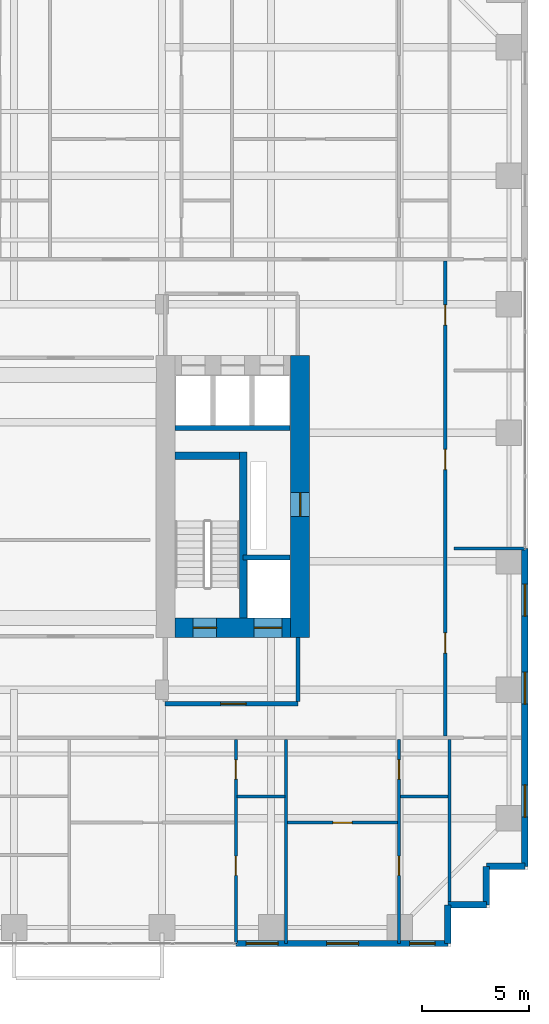
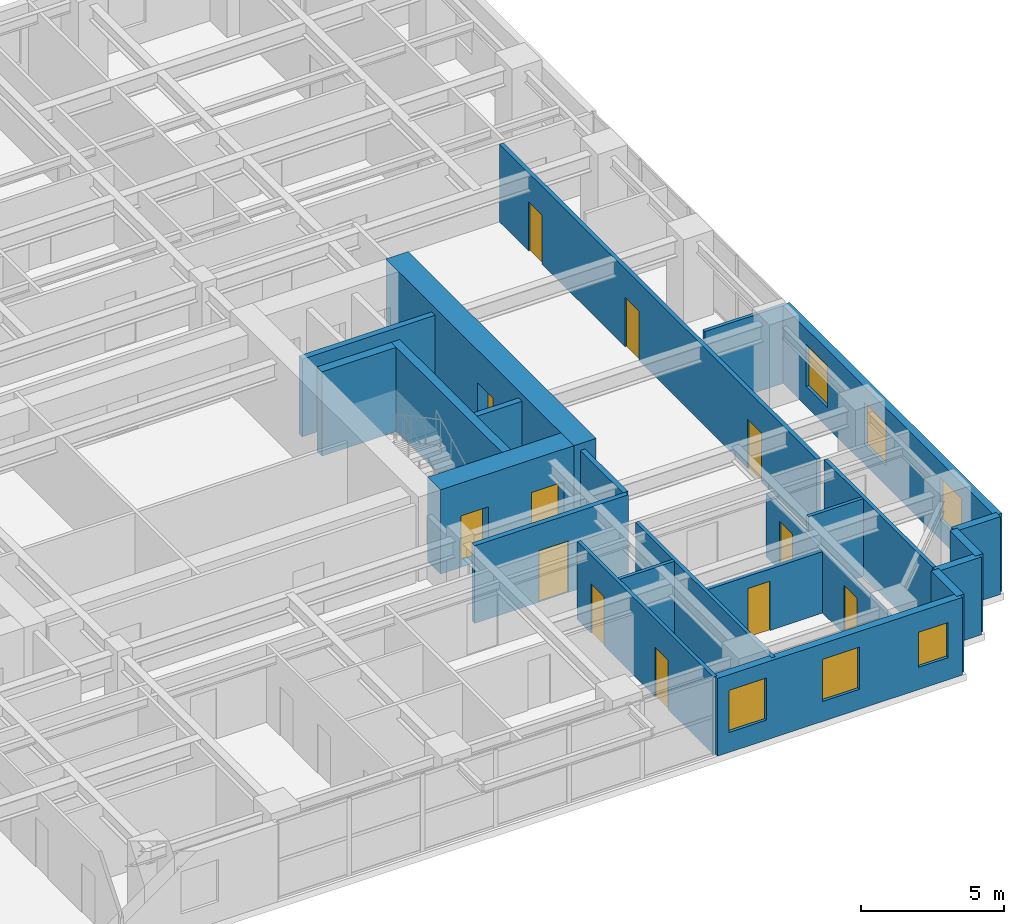
# One storey, part 21 of 24: 23 walls, 12 doors, 6 windows, 18 openings.
"""IFC4 building model written with IfcOpenShell, lengths in metres."""

from ifc_helpers import new_model, si_unit, direction, frame, frame_2d, origin, place, context, subcontext, project, spatial, rectangle, extrude, source, transform, mapped, material, layer, layer_set, type_object, element, fill, save


model = new_model("IFC4")

# Units and contexts
model_context = context("Model", 3, precision=1e-05, world=origin(), true_north=direction((0.0, 1.0)))
body_context = subcontext(model_context, "Body", "Model", "MODEL_VIEW")
ifc_project = project(units=[si_unit("LENGTHUNIT", "METRE"), si_unit("AREAUNIT", "SQUARE_METRE"), si_unit("VOLUMEUNIT", "CUBIC_METRE"), si_unit("PLANEANGLEUNIT", "RADIAN"), si_unit("MASSUNIT", "GRAM", prefix="KILO")], contexts=[model_context])

# Site, building, storey
site_placement = place(None, origin())
site = spatial("IfcSite", under=ifc_project, at=site_placement, CompositionType="ELEMENT")
building_placement = place(site_placement, origin())
building = spatial("IfcBuilding", under=site, at=building_placement, Name="Khoralis Quay Care Tower", CompositionType="ELEMENT")
storey_placement = place(building_placement, frame((0.0, 0.0, 54.89990234375)))
storey = spatial("IfcBuildingStorey", under=building, at=storey_placement, Name="L14", CompositionType="ELEMENT", Elevation=54.89990234375)

# Wall, opening, door
ifc_material_1 = material(Name="Gypsum plasterboard on acoustic metal stud")
ifc_layer_1 = layer(ifc_material_1, 0.199951171875)
ifc_layer_set_1 = layer_set([ifc_layer_1], Name="Gypsum plasterboard on acoustic metal stud")
wall_type_1 = type_object("IfcWallType", Name="WL-COMP-200", PredefinedType="PARTITIONING", material=ifc_layer_set_1)
wall_1_placement = place(storey_placement, frame((31.050048828125, 11.35009765625, 0.0), z_axis=(0.0, 0.0, 1.0), x_axis=(1.0, 0.0, 0.0)))
wall_1 = element("IfcWall", 1, at=wall_1_placement, inside=storey, type_object=wall_type_1, Name="L14 East Firefighting Lobby South Wall", PredefinedType="PARTITIONING", context=body_context, shape_type="SweptSolid", body=[
    extrude(rectangle(XDim=6.199951171875, YDim=0.199951171875, at=frame_2d((3.10009765625, 0.0))), origin(), (0.0, 0.0, 1.0), 3.320068359375),
])
opening_1_placement = place(wall_1_placement, frame((2.585693359375, 0.0, 0.0)))
opening_1 = element("IfcOpeningElement", 2, at=opening_1_placement, cuts=wall_1, Name="Opening FD1", PredefinedType="OPENING", context=body_context, shape_type="SweptSolid", body=[
    extrude(rectangle(XDim=1.199951171875, YDim=2.199951171875, at=frame_2d((0.60009765625, 1.10009765625))), frame((0.0, 0.10986328125, 0.0), z_axis=(0.0, -1.0, 0.0), x_axis=(1.0, 0.0, 0.0)), (0.0, 0.0, 1.0), 0.219970703125),
])
ifc_material_2 = material(Name="Fire-rated painted steel", Category="steel")
door_type_1 = type_object("IfcDoorType", Name="DR-FFL-1200X2200", OperationType="NOTDEFINED", PredefinedType="DOOR", material=ifc_material_2)
shared_shape_1 = source(origin(), body_context, "Body", "SweptSolid", [
    extrude(rectangle(XDim=1.199951171875, YDim=2.199951171875, at=frame_2d((0.60009765625, 1.10009765625))), frame((0.0, 0.02490234375, 0.0), z_axis=(0.0, -1.0, 0.0), x_axis=(1.0, 0.0, 0.0)), (0.0, 0.0, 1.0), 0.050048828125),
])
door_1_placement = place(opening_1_placement, origin())
door_1 = element("IfcDoor", 3, at=door_1_placement, inside=storey, type_object=door_type_1, Name="L14 East Firefighting Lobby Fire Door", OperationType="SINGLE_SWING_LEFT", OverallHeight=2.199951171875, OverallWidth=1.199951171875, PredefinedType="DOOR", context=body_context, shape_type="MappedRepresentation", body=[
    mapped(shared_shape_1, transform((0.0, 0.0, 0.0), scale=1.0)),
])
fill(opening_1, door_1)

# Wall
wall_2_placement = place(storey_placement, frame((37.25, 11.445068359375, 0.0), z_axis=(0.0, 0.0, 1.0), x_axis=(0.0, 1.0, 0.0)))
element("IfcWall", 4, at=wall_2_placement, inside=storey, type_object=wall_type_1, Name="L14 East Firefighting Lobby East Wall", PredefinedType="PARTITIONING", context=body_context, shape_type="SweptSolid", body=[
    extrude(rectangle(XDim=2.98486328125, YDim=0.199951171875, at=frame_2d((1.492431640625, 0.0))), origin(), (0.0, 0.0, 1.0), 3.320068359375),
])

# Wall, opening, door
ifc_material_3 = material(Name="Concrete C80/95", Category="concrete")
ifc_layer_2 = layer(ifc_material_3, 0.89990234375)
ifc_layer_set_2 = layer_set([ifc_layer_2], Name="Concrete C80/95")
wall_type_2 = type_object("IfcWallType", Name="WL-CORE-900", PredefinedType="SHEAR", material=ifc_layer_set_2)
wall_3_placement = place(storey_placement, frame((37.35009765625, 14.449951171875, 0.0), z_axis=(0.0, 0.0, 1.0), x_axis=(0.0, 1.0, 0.0)))
wall_3 = element("IfcWall", 5, at=wall_3_placement, inside=storey, type_object=wall_type_2, Name="L14 ECORE East Shear Wall", PredefinedType="SHEAR", context=body_context, shape_type="SweptSolid", body=[
    extrude(rectangle(XDim=13.150146484375, YDim=0.89990234375, at=frame_2d((6.5751953125, 0.0))), origin(), (0.0, 0.0, 1.0), 3.60009765625),
])
opening_2_placement = place(wall_3_placement, frame((5.64990234375, 0.0, 0.0)))
opening_2 = element("IfcOpeningElement", 6, at=opening_2_placement, cuts=wall_3, Name="Opening SD1", PredefinedType="OPENING", context=body_context, shape_type="SweptSolid", body=[
    extrude(rectangle(XDim=1.10009765625, YDim=2.199951171875, at=frame_2d((0.550048828125, 1.10009765625))), frame((0.0, 0.4599609375, 0.0), z_axis=(0.0, -1.0, 0.0), x_axis=(1.0, 0.0, 0.0)), (0.0, 0.0, 1.0), 0.919921875),
])
door_type_2 = type_object("IfcDoorType", Name="DR-STAIR-1100X2200", OperationType="NOTDEFINED", PredefinedType="DOOR", material=ifc_material_2)
shared_shape_2 = source(origin(), body_context, "Body", "SweptSolid", [
    extrude(rectangle(XDim=1.10009765625, YDim=2.199951171875, at=frame_2d((0.550048828125, 1.10009765625))), frame((0.0, 0.02490234375, 0.0), z_axis=(0.0, -1.0, 0.0), x_axis=(1.0, 0.0, 0.0)), (0.0, 0.0, 1.0), 0.050048828125),
])
door_2_placement = place(opening_2_placement, frame((1.10009765625, 0.0, 0.0), z_axis=(0.0, 0.0, 1.0), x_axis=(-1.0, 0.0, 0.0)))
door_2 = element("IfcDoor", 7, at=door_2_placement, inside=storey, type_object=door_type_2, Name="L14 East MEP Riser Door", OperationType="SINGLE_SWING_LEFT", OverallHeight=2.199951171875, OverallWidth=1.10009765625, PredefinedType="DOOR", context=body_context, shape_type="MappedRepresentation", body=[
    mapped(shared_shape_2, transform((0.0, 0.0, 0.0), scale=1.0)),
])
fill(opening_2, door_2)

# Wall, openings, doors
wall_4_placement = place(storey_placement, frame((31.52001953125, 14.89990234375, 0.0), z_axis=(0.0, 0.0, 1.0), x_axis=(1.0, 0.0, 0.0)))
wall_4 = element("IfcWall", 8, at=wall_4_placement, inside=storey, type_object=wall_type_2, Name="L14 ECORE South Shear Wall", PredefinedType="SHEAR", context=body_context, shape_type="SweptSolid", body=[
    extrude(rectangle(XDim=5.3798828125, YDim=0.89990234375, at=frame_2d((2.68994140625, 0.0))), origin(), (0.0, 0.0, 1.0), 3.60009765625),
])
opening_3_placement = place(wall_4_placement, frame((0.830078125, 0.0, 0.0)))
opening_3 = element("IfcOpeningElement", 9, at=opening_3_placement, cuts=wall_4, Name="Opening SD1", PredefinedType="OPENING", context=body_context, shape_type="SweptSolid", body=[
    extrude(rectangle(XDim=1.10009765625, YDim=2.199951171875, at=frame_2d((0.550048828125, 1.10009765625))), frame((0.0, 0.4599609375, 0.0), z_axis=(0.0, -1.0, 0.0), x_axis=(1.0, 0.0, 0.0)), (0.0, 0.0, 1.0), 0.919921875),
])
opening_4_placement = place(wall_4_placement, frame((3.679931640625, 0.0, 0.0)))
opening_4 = element("IfcOpeningElement", 10, at=opening_4_placement, cuts=wall_4, Name="Opening LD2", PredefinedType="OPENING", context=body_context, shape_type="SweptSolid", body=[
    extrude(rectangle(XDim=1.300048828125, YDim=2.199951171875, at=frame_2d((0.64990234375, 1.10009765625))), frame((0.0, 0.4599609375, 0.0), z_axis=(0.0, -1.0, 0.0), x_axis=(1.0, 0.0, 0.0)), (0.0, 0.0, 1.0), 0.919921875),
])
door_3_placement = place(opening_3_placement, origin())
door_3 = element("IfcDoor", 11, at=door_3_placement, inside=storey, type_object=door_type_2, Name="L14 Stair ST-T2 Fire Door", OperationType="SINGLE_SWING_LEFT", OverallHeight=2.199951171875, OverallWidth=1.10009765625, PredefinedType="DOOR", context=body_context, shape_type="MappedRepresentation", body=[
    mapped(shared_shape_2, transform((0.0, 0.0, 0.0), scale=1.0)),
])
fill(opening_3, door_3)
ifc_material_4 = material(Name="Brushed stainless steel", Category="steel")
door_type_3 = type_object("IfcDoorType", Name="DR-LIFT-1300X2200", OperationType="SLIDING_TO_RIGHT", PredefinedType="DOOR", material=ifc_material_4)
shared_shape_3 = source(origin(), body_context, "Body", "SweptSolid", [
    extrude(rectangle(XDim=1.300048828125, YDim=2.199951171875, at=frame_2d((0.64990234375, 1.10009765625))), frame((0.0, 0.02490234375, 0.0), z_axis=(0.0, -1.0, 0.0), x_axis=(1.0, 0.0, 0.0)), (0.0, 0.0, 1.0), 0.050048828125),
])
door_4_placement = place(opening_4_placement, origin())
door_4 = element("IfcDoor", 12, at=door_4_placement, inside=storey, type_object=door_type_3, Name="L14 Firefighting Lift FFL-2 Landing Door", OperationType="SLIDING_TO_RIGHT", OverallHeight=2.199951171875, OverallWidth=1.300048828125, PredefinedType="DOOR", context=body_context, shape_type="MappedRepresentation", body=[
    mapped(shared_shape_3, transform((0.0, 0.0, 0.0), scale=1.0)),
])
fill(opening_4, door_4)

ifc_layer_3 = layer(ifc_material_1, 0.1650390625)
ifc_layer_set_3 = layer_set([ifc_layer_3], Name="Gypsum plasterboard on acoustic metal stud")
wall_type_3 = type_object("IfcWallType", Name="WL-CORR-165", PredefinedType="PARTITIONING", material=ifc_layer_set_3)
wall_5_placement = place(storey_placement, frame((44.1201171875, 9.83740234375, 0.0), z_axis=(0.0, 0.0, 1.0), x_axis=(0.0, 1.0, 0.0)))
wall_5 = element("IfcWall", 13, at=wall_5_placement, inside=storey, type_object=wall_type_3, Name="L14 East Loop Corridor Wall", PredefinedType="PARTITIONING", context=body_context, shape_type="SweptSolid", body=[
    extrude(rectangle(XDim=22.18505859375, YDim=0.1650390625, at=frame_2d((11.092529296875, 0.0))), origin(), (0.0, 0.0, 1.0), 3.320068359375),
])
opening_5_placement = place(wall_5_placement, frame((3.867431640625, 0.0, 0.0)))
opening_5 = element("IfcOpeningElement", 14, at=opening_5_placement, cuts=wall_5, Name="Opening ID1", PredefinedType="OPENING", context=body_context, shape_type="SweptSolid", body=[
    extrude(rectangle(XDim=0.949951171875, YDim=2.10009765625, at=frame_2d((0.47509765625, 1.050048828125))), frame((0.0, 0.092529296875, 0.0), z_axis=(0.0, -1.0, 0.0), x_axis=(1.0, 0.0, 0.0)), (0.0, 0.0, 1.0), 0.18505859375),
])
opening_6_placement = place(wall_5_placement, frame((12.4375, 0.0, 0.0)))
opening_6 = element("IfcOpeningElement", 15, at=opening_6_placement, cuts=wall_5, Name="Opening ID1", PredefinedType="OPENING", context=body_context, shape_type="SweptSolid", body=[
    extrude(rectangle(XDim=0.949951171875, YDim=2.10009765625, at=frame_2d((0.47509765625, 1.050048828125))), frame((0.0, 0.092529296875, 0.0), z_axis=(0.0, -1.0, 0.0), x_axis=(1.0, 0.0, 0.0)), (0.0, 0.0, 1.0), 0.18505859375),
])
opening_7_placement = place(wall_5_placement, frame((19.1875, 0.0, 0.0)))
opening_7 = element("IfcOpeningElement", 16, at=opening_7_placement, cuts=wall_5, Name="Opening ID1", PredefinedType="OPENING", context=body_context, shape_type="SweptSolid", body=[
    extrude(rectangle(XDim=0.949951171875, YDim=2.10009765625, at=frame_2d((0.47509765625, 1.050048828125))), frame((0.0, 0.092529296875, 0.0), z_axis=(0.0, -1.0, 0.0), x_axis=(1.0, 0.0, 0.0)), (0.0, 0.0, 1.0), 0.18505859375),
])
ifc_material_5 = material(Name="Acoustic hardwood timber", Category="wood")
door_type_4 = type_object("IfcDoorType", Name="DR-ROOM-950X2100", OperationType="NOTDEFINED", PredefinedType="DOOR", material=ifc_material_5)
shared_shape_4 = source(origin(), body_context, "Body", "SweptSolid", [
    extrude(rectangle(XDim=0.949951171875, YDim=2.10009765625, at=frame_2d((0.47509765625, 1.050048828125))), frame((0.0, 0.02490234375, 0.0), z_axis=(0.0, -1.0, 0.0), x_axis=(1.0, 0.0, 0.0)), (0.0, 0.0, 1.0), 0.050048828125),
])
door_5_placement = place(opening_5_placement, frame((0.949951171875, 0.0, 0.0), z_axis=(0.0, 0.0, 1.0), x_axis=(-1.0, 0.0, 0.0)))
door_5 = element("IfcDoor", 17, at=door_5_placement, inside=storey, type_object=door_type_4, Name="L14 Therapy Consultation Room Door", OperationType="SINGLE_SWING_LEFT", OverallHeight=2.10009765625, OverallWidth=0.949951171875, PredefinedType="DOOR", context=body_context, shape_type="MappedRepresentation", body=[
    mapped(shared_shape_4, transform((0.0, 0.0, 0.0), scale=1.0)),
])
fill(opening_5, door_5)
door_6_placement = place(opening_6_placement, frame((0.949951171875, 0.0, 0.0), z_axis=(0.0, 0.0, 1.0), x_axis=(-1.0, 0.0, 0.0)))
door_6 = element("IfcDoor", 18, at=door_6_placement, inside=storey, type_object=door_type_4, Name="L14 Assisted Activity Lounge Door", OperationType="SINGLE_SWING_RIGHT", OverallHeight=2.10009765625, OverallWidth=0.949951171875, PredefinedType="DOOR", context=body_context, shape_type="MappedRepresentation", body=[
    mapped(shared_shape_4, transform((0.0, 0.0, 0.0), scale=1.0)),
])
fill(opening_6, door_6)
door_7_placement = place(opening_7_placement, frame((0.949951171875, 0.0, 0.0), z_axis=(0.0, 0.0, 1.0), x_axis=(-1.0, 0.0, 0.0)))
door_7 = element("IfcDoor", 19, at=door_7_placement, inside=storey, type_object=door_type_4, Name="L14 Nurse Charting Office Door", OperationType="SINGLE_SWING_LEFT", OverallHeight=2.10009765625, OverallWidth=0.949951171875, PredefinedType="DOOR", context=body_context, shape_type="MappedRepresentation", body=[
    mapped(shared_shape_4, transform((0.0, 0.0, 0.0), scale=1.0)),
])
fill(opening_7, door_7)

# Wall, openings, windows
ifc_material_6 = material(Name="Precast concrete C45/55", Category="concrete")
ifc_layer_4 = layer(ifc_material_6, 0.300048828125)
ifc_layer_set_4 = layer_set([ifc_layer_4], Name="Precast concrete C45/55")
wall_type_4 = type_object("IfcWallType", Name="WL-EXT-REF-300", PredefinedType="SOLIDWALL", material=ifc_layer_set_4)
wall_6_placement = place(storey_placement, frame((34.35009765625, 0.14990234375, 0.0), z_axis=(0.0, 0.0, 1.0), x_axis=(1.0, 0.0, 0.0)))
wall_6 = element("IfcWall", 20, at=wall_6_placement, inside=storey, type_object=wall_type_4, Name="L14 External Facade Wall WL-EXT-L14-P1-E0B", PredefinedType="SOLIDWALL", context=body_context, shape_type="SweptSolid", body=[
    extrude(rectangle(XDim=9.89990234375, YDim=0.300048828125, at=frame_2d((4.949951171875, 0.0))), origin(), (0.0, 0.0, 1.0), 3.320068359375),
])
opening_8_placement = place(wall_6_placement, frame((0.47509765625, 0.0, 0.85009765625)))
opening_8 = element("IfcOpeningElement", 21, at=opening_8_placement, cuts=wall_6, Name="Opening W3", PredefinedType="OPENING", context=body_context, shape_type="SweptSolid", body=[
    extrude(rectangle(XDim=1.5, YDim=1.800048828125, at=frame_2d((0.75, 0.89990234375))), frame((0.0, 0.16015625, 0.0), z_axis=(0.0, -1.0, 0.0), x_axis=(1.0, 0.0, 0.0)), (0.0, 0.0, 1.0), 0.320068359375),
])
opening_9_placement = place(wall_6_placement, frame((4.235107421875, 0.0, 0.85009765625)))
opening_9 = element("IfcOpeningElement", 22, at=opening_9_placement, cuts=wall_6, Name="Opening W3", PredefinedType="OPENING", context=body_context, shape_type="SweptSolid", body=[
    extrude(rectangle(XDim=1.5, YDim=1.800048828125, at=frame_2d((0.75, 0.89990234375))), frame((0.0, 0.16015625, 0.0), z_axis=(0.0, -1.0, 0.0), x_axis=(1.0, 0.0, 0.0)), (0.0, 0.0, 1.0), 0.320068359375),
])
opening_10_placement = place(wall_6_placement, frame((8.110107421875, 0.0, 0.949951171875)))
opening_10 = element("IfcOpeningElement", 23, at=opening_10_placement, cuts=wall_6, Name="Opening W6", PredefinedType="OPENING", context=body_context, shape_type="SweptSolid", body=[
    extrude(rectangle(XDim=1.199951171875, YDim=1.5, at=frame_2d((0.60009765625, 0.75))), frame((0.0, 0.16015625, 0.0), z_axis=(0.0, -1.0, 0.0), x_axis=(1.0, 0.0, 0.0)), (0.0, 0.0, 1.0), 0.320068359375),
])
ifc_material_7 = material(Name="Low-E solar-control double glazing", Category="glass")
window_type_1 = type_object("IfcWindowType", Name="WN-CLIN-1500X1800", PartitioningType="SINGLE_PANEL", PredefinedType="WINDOW", material=ifc_material_7)
shared_shape_5 = source(origin(), body_context, "Body", "SweptSolid", [
    extrude(rectangle(XDim=1.5, YDim=1.800048828125, at=frame_2d((0.75, 0.89990234375))), frame((0.0, 0.030029296875, 0.0), z_axis=(0.0, -1.0, 0.0), x_axis=(1.0, 0.0, 0.0)), (0.0, 0.0, 1.0), 0.06005859375),
])
window_1_placement = place(opening_8_placement, origin())
window_1 = element("IfcWindow", 24, at=window_1_placement, inside=storey, type_object=window_type_1, Name="WN-L14-P1-E0B Facade Window 01", OverallHeight=1.800048828125, OverallWidth=1.5, PartitioningType="SINGLE_PANEL", PredefinedType="WINDOW", context=body_context, shape_type="MappedRepresentation", body=[
    mapped(shared_shape_5, transform((0.0, 0.0, 0.0), scale=1.0)),
])
fill(opening_8, window_1)
window_2_placement = place(opening_9_placement, origin())
window_2 = element("IfcWindow", 25, at=window_2_placement, inside=storey, type_object=window_type_1, Name="WN-L14-P1-E0B Facade Window 02", OverallHeight=1.800048828125, OverallWidth=1.5, PartitioningType="SINGLE_PANEL", PredefinedType="WINDOW", context=body_context, shape_type="MappedRepresentation", body=[
    mapped(shared_shape_5, transform((0.0, 0.0, 0.0), scale=1.0)),
])
fill(opening_9, window_2)
window_type_2 = type_object("IfcWindowType", Name="WN-SCH-1200X1500", PartitioningType="SINGLE_PANEL", PredefinedType="WINDOW", material=ifc_material_7)
shared_shape_6 = source(origin(), body_context, "Body", "SweptSolid", [
    extrude(rectangle(XDim=1.199951171875, YDim=1.5, at=frame_2d((0.60009765625, 0.75))), frame((0.0, 0.030029296875, 0.0), z_axis=(0.0, -1.0, 0.0), x_axis=(1.0, 0.0, 0.0)), (0.0, 0.0, 1.0), 0.06005859375),
])
window_3_placement = place(opening_10_placement, origin())
window_3 = element("IfcWindow", 26, at=window_3_placement, inside=storey, type_object=window_type_2, Name="WN-L14-P1-E0B Facade Window 03", OverallHeight=1.5, OverallWidth=1.199951171875, PartitioningType="SINGLE_PANEL", PredefinedType="WINDOW", context=body_context, shape_type="MappedRepresentation", body=[
    mapped(shared_shape_6, transform((0.0, 0.0, 0.0), scale=1.0)),
])
fill(opening_10, window_3)

# Walls
for number, where, z_axis, x_axis, name in (
    (27, (44.25, 0.14990234375, 0.0), (0.0, 0.0, 1.0), (0.0, 1.0, 0.0), "L14 External Facade Wall WL-EXT-L14-P1-C1"),
    (28, (44.25, 1.949951171875, 0.0), (0.0, 0.0, 1.0), (1.0, 0.0, 0.0), "L14 External Facade Wall WL-EXT-L14-P1-C2"),
    (29, (46.050048828125, 1.949951171875, 0.0), (0.0, 0.0, 1.0), (0.0, 1.0, 0.0), "L14 External Facade Wall WL-EXT-L14-P1-C3"),
    (30, (46.050048828125, 3.75, 0.0), (0.0, 0.0, 1.0), (1.0, 0.0, 0.0), "L14 External Facade Wall WL-EXT-L14-P1-C4"),
):
    element("IfcWall", number, at=place(storey_placement, frame(where, z_axis=z_axis, x_axis=x_axis)), inside=storey, type_object=wall_type_4, Name=name, PredefinedType="SOLIDWALL", context=body_context, shape_type="SweptSolid", body=[
        extrude(rectangle(XDim=1.800048828125, YDim=0.300048828125, at=frame_2d((0.89990234375, 0.0))), origin(), (0.0, 0.0, 1.0), 3.320068359375),
    ])

# Wall, openings, windows
wall_7_placement = place(storey_placement, frame((47.85009765625, 3.75, 0.0), z_axis=(0.0, 0.0, 1.0), x_axis=(0.0, 1.0, 0.0)))
wall_7 = element("IfcWall", 31, at=wall_7_placement, inside=storey, type_object=wall_type_4, Name="L14 External Facade Wall WL-EXT-L14-P1-E5A", PredefinedType="SOLIDWALL", context=body_context, shape_type="SweptSolid", body=[
    extrude(rectangle(XDim=14.85009765625, YDim=0.300048828125, at=frame_2d((7.425048828125, 0.0))), origin(), (0.0, 0.0, 1.0), 3.320068359375),
])
opening_11_placement = place(wall_7_placement, frame((2.304931640625, 0.0, 0.85009765625)))
opening_11 = element("IfcOpeningElement", 32, at=opening_11_placement, cuts=wall_7, Name="Opening W3", PredefinedType="OPENING", context=body_context, shape_type="SweptSolid", body=[
    extrude(rectangle(XDim=1.5, YDim=1.800048828125, at=frame_2d((0.75, 0.89990234375))), frame((0.0, 0.16015625, 0.0), z_axis=(0.0, -1.0, 0.0), x_axis=(1.0, 0.0, 0.0)), (0.0, 0.0, 1.0), 0.320068359375),
])
opening_12_placement = place(wall_7_placement, frame((7.574951171875, 0.0, 0.85009765625)))
opening_12 = element("IfcOpeningElement", 33, at=opening_12_placement, cuts=wall_7, Name="Opening W3", PredefinedType="OPENING", context=body_context, shape_type="SweptSolid", body=[
    extrude(rectangle(XDim=1.5, YDim=1.800048828125, at=frame_2d((0.75, 0.89990234375))), frame((0.0, 0.16015625, 0.0), z_axis=(0.0, -1.0, 0.0), x_axis=(1.0, 0.0, 0.0)), (0.0, 0.0, 1.0), 0.320068359375),
])
opening_13_placement = place(wall_7_placement, frame((11.68505859375, 0.0, 0.85009765625)))
opening_13 = element("IfcOpeningElement", 34, at=opening_13_placement, cuts=wall_7, Name="Opening W3", PredefinedType="OPENING", context=body_context, shape_type="SweptSolid", body=[
    extrude(rectangle(XDim=1.5, YDim=1.800048828125, at=frame_2d((0.75, 0.89990234375))), frame((0.0, 0.16015625, 0.0), z_axis=(0.0, -1.0, 0.0), x_axis=(1.0, 0.0, 0.0)), (0.0, 0.0, 1.0), 0.320068359375),
])
window_4_placement = place(opening_11_placement, origin())
window_4 = element("IfcWindow", 35, at=window_4_placement, inside=storey, type_object=window_type_1, Name="WN-L14-P1-E5A Facade Window 01", OverallHeight=1.800048828125, OverallWidth=1.5, PartitioningType="SINGLE_PANEL", PredefinedType="WINDOW", context=body_context, shape_type="MappedRepresentation", body=[
    mapped(shared_shape_5, transform((0.0, 0.0, 0.0), scale=1.0)),
])
fill(opening_11, window_4)
window_5_placement = place(opening_12_placement, origin())
window_5 = element("IfcWindow", 36, at=window_5_placement, inside=storey, type_object=window_type_1, Name="WN-L14-P1-E5A Facade Window 02", OverallHeight=1.800048828125, OverallWidth=1.5, PartitioningType="SINGLE_PANEL", PredefinedType="WINDOW", context=body_context, shape_type="MappedRepresentation", body=[
    mapped(shared_shape_5, transform((0.0, 0.0, 0.0), scale=1.0)),
])
fill(opening_12, window_5)
window_6_placement = place(opening_13_placement, origin())
window_6 = element("IfcWindow", 37, at=window_6_placement, inside=storey, type_object=window_type_1, Name="WN-L14-P1-E5A Facade Window 03", OverallHeight=1.800048828125, OverallWidth=1.5, PartitioningType="SINGLE_PANEL", PredefinedType="WINDOW", context=body_context, shape_type="MappedRepresentation", body=[
    mapped(shared_shape_5, transform((0.0, 0.0, 0.0), scale=1.0)),
])
fill(opening_13, window_6)

# Wall, openings, doors
ifc_material_8 = material(Name="Moisture-resistant gypsum and ceramic tile")
ifc_layer_5 = layer(ifc_material_8, 0.280029296875)
ifc_layer_set_5 = layer_set([ifc_layer_5], Name="Moisture-resistant gypsum and ceramic tile")
wall_type_5 = type_object("IfcWallType", Name="WL-PLUMB-280", PredefinedType="PLUMBINGWALL", material=ifc_layer_set_5)
wall_8_placement = place(storey_placement, frame((34.35009765625, 0.14501953125, 0.0), z_axis=(0.0, 0.0, 1.0), x_axis=(0.0, 1.0, 0.0)))
wall_8 = element("IfcWall", 38, at=wall_8_placement, inside=storey, type_object=wall_type_5, Name="L14 Care Suite 2 En-Suite Wall V", PredefinedType="PLUMBINGWALL", context=body_context, shape_type="SweptSolid", body=[
    extrude(rectangle(XDim=9.53759765625, YDim=0.139892578125, at=frame_2d((4.768798828125, 0.0))), origin(), (0.0, 0.0, 1.0), 3.320068359375),
])
opening_14_placement = place(wall_8_placement, frame((7.675048828125, 0.0, 0.0)))
opening_14 = element("IfcOpeningElement", 39, at=opening_14_placement, cuts=wall_8, Name="Opening WD1", PredefinedType="OPENING", context=body_context, shape_type="SweptSolid", body=[
    extrude(rectangle(XDim=0.89990234375, YDim=2.10009765625, at=frame_2d((0.449951171875, 1.050048828125))), frame((0.0, 0.080078125, 0.0), z_axis=(0.0, -1.0, 0.0), x_axis=(1.0, 0.0, 0.0)), (0.0, 0.0, 1.0), 0.159912109375),
])
opening_15_placement = place(wall_8_placement, frame((3.18505859375, 0.0, 0.0)))
opening_15 = element("IfcOpeningElement", 40, at=opening_15_placement, cuts=wall_8, Name="Opening WD1", PredefinedType="OPENING", context=body_context, shape_type="SweptSolid", body=[
    extrude(rectangle(XDim=0.89990234375, YDim=2.10009765625, at=frame_2d((0.449951171875, 1.050048828125))), frame((0.0, 0.080078125, 0.0), z_axis=(0.0, -1.0, 0.0), x_axis=(1.0, 0.0, 0.0)), (0.0, 0.0, 1.0), 0.159912109375),
])
door_type_5 = type_object("IfcDoorType", Name="DR-BATH-900X2100", OperationType="NOTDEFINED", PredefinedType="DOOR", material=ifc_material_5)
shared_shape_7 = source(origin(), body_context, "Body", "SweptSolid", [
    extrude(rectangle(XDim=0.89990234375, YDim=2.10009765625, at=frame_2d((0.449951171875, 1.050048828125))), frame((0.0, 0.02490234375, 0.0), z_axis=(0.0, -1.0, 0.0), x_axis=(1.0, 0.0, 0.0)), (0.0, 0.0, 1.0), 0.050048828125),
])
door_8_placement = place(opening_14_placement, frame((0.89990234375, 0.0, 0.0), z_axis=(0.0, 0.0, 1.0), x_axis=(-1.0, 0.0, 0.0)))
door_8 = element("IfcDoor", 41, at=door_8_placement, inside=storey, type_object=door_type_5, Name="L14 Care CENS Door", OperationType="SINGLE_SWING_LEFT", OverallHeight=2.10009765625, OverallWidth=0.89990234375, PredefinedType="DOOR", context=body_context, shape_type="MappedRepresentation", body=[
    mapped(shared_shape_7, transform((0.0, 0.0, 0.0), scale=1.0)),
])
fill(opening_14, door_8)
door_9_placement = place(opening_15_placement, frame((0.89990234375, 0.0, 0.0), z_axis=(0.0, 0.0, 1.0), x_axis=(-1.0, 0.0, 0.0)))
door_9 = element("IfcDoor", 42, at=door_9_placement, inside=storey, type_object=door_type_5, Name="L14 Care CSIT Door", OperationType="SINGLE_SWING_RIGHT", OverallHeight=2.10009765625, OverallWidth=0.89990234375, PredefinedType="DOOR", context=body_context, shape_type="MappedRepresentation", body=[
    mapped(shared_shape_7, transform((0.0, 0.0, 0.0), scale=1.0)),
])
fill(opening_15, door_9)

# Wall
wall_9_placement = place(storey_placement, frame((34.4150390625, 7.010009765625, 0.0), z_axis=(0.0, 0.0, 1.0), x_axis=(1.0, 0.0, 0.0)))
element("IfcWall", 43, at=wall_9_placement, inside=storey, type_object=wall_type_5, Name="L14 Care Suite 2 En-Suite Wall H", PredefinedType="PLUMBINGWALL", context=body_context, shape_type="SweptSolid", body=[
    extrude(rectangle(XDim=2.219970703125, YDim=0.139892578125, at=frame_2d((1.10986328125, 0.0))), origin(), (0.0, 0.0, 1.0), 3.320068359375),
])

# Wall, openings, doors
wall_10_placement = place(storey_placement, frame((41.969970703125, 0.14501953125, 0.0), z_axis=(0.0, 0.0, 1.0), x_axis=(0.0, 1.0, 0.0)))
wall_10 = element("IfcWall", 44, at=wall_10_placement, inside=storey, type_object=wall_type_5, Name="L14 Care Suite 3 En-Suite Wall V", PredefinedType="PLUMBINGWALL", context=body_context, shape_type="SweptSolid", body=[
    extrude(rectangle(XDim=9.53759765625, YDim=0.139892578125, at=frame_2d((4.768798828125, 0.0))), origin(), (0.0, 0.0, 1.0), 2.7041015625),
])
opening_16_placement = place(wall_10_placement, frame((7.675048828125, 0.0, 0.0)))
opening_16 = element("IfcOpeningElement", 45, at=opening_16_placement, cuts=wall_10, Name="Opening WD1", PredefinedType="OPENING", context=body_context, shape_type="SweptSolid", body=[
    extrude(rectangle(XDim=0.89990234375, YDim=2.10009765625, at=frame_2d((0.449951171875, 1.050048828125))), frame((0.0, 0.080078125, 0.0), z_axis=(0.0, -1.0, 0.0), x_axis=(1.0, 0.0, 0.0)), (0.0, 0.0, 1.0), 0.159912109375),
])
opening_17_placement = place(wall_10_placement, frame((3.18505859375, 0.0, 0.0)))
opening_17 = element("IfcOpeningElement", 46, at=opening_17_placement, cuts=wall_10, Name="Opening WD1", PredefinedType="OPENING", context=body_context, shape_type="SweptSolid", body=[
    extrude(rectangle(XDim=0.89990234375, YDim=2.10009765625, at=frame_2d((0.449951171875, 1.050048828125))), frame((0.0, 0.080078125, 0.0), z_axis=(0.0, -1.0, 0.0), x_axis=(1.0, 0.0, 0.0)), (0.0, 0.0, 1.0), 0.159912109375),
])
door_10_placement = place(opening_16_placement, frame((0.89990234375, 0.0, 0.0), z_axis=(0.0, 0.0, 1.0), x_axis=(-1.0, 0.0, 0.0)))
door_10 = element("IfcDoor", 47, at=door_10_placement, inside=storey, type_object=door_type_5, Name="L14 Care CENS Door", OperationType="SINGLE_SWING_RIGHT", OverallHeight=2.10009765625, OverallWidth=0.89990234375, PredefinedType="DOOR", context=body_context, shape_type="MappedRepresentation", body=[
    mapped(shared_shape_7, transform((0.0, 0.0, 0.0), scale=1.0)),
])
fill(opening_16, door_10)
door_11_placement = place(opening_17_placement, frame((0.89990234375, 0.0, 0.0), z_axis=(0.0, 0.0, 1.0), x_axis=(-1.0, 0.0, 0.0)))
door_11 = element("IfcDoor", 48, at=door_11_placement, inside=storey, type_object=door_type_5, Name="L14 Care CSIT Door", OperationType="SINGLE_SWING_LEFT", OverallHeight=2.10009765625, OverallWidth=0.89990234375, PredefinedType="DOOR", context=body_context, shape_type="MappedRepresentation", body=[
    mapped(shared_shape_7, transform((0.0, 0.0, 0.0), scale=1.0)),
])
fill(opening_17, door_11)

# Walls
wall_11_placement = place(storey_placement, frame((42.034912109375, 7.010009765625, 0.0), z_axis=(0.0, 0.0, 1.0), x_axis=(1.0, 0.0, 0.0)))
element("IfcWall", 49, at=wall_11_placement, inside=storey, type_object=wall_type_5, Name="L14 Care Suite 3 En-Suite Wall H", PredefinedType="PLUMBINGWALL", context=body_context, shape_type="SweptSolid", body=[
    extrude(rectangle(XDim=2.219970703125, YDim=0.139892578125, at=frame_2d((1.10986328125, 0.0))), origin(), (0.0, 0.0, 1.0), 3.320068359375),
])
ifc_material_9 = material(Name="Concrete C40/50", Category="concrete")
ifc_layer_6 = layer(ifc_material_9, 0.35009765625)
ifc_layer_set_6 = layer_set([ifc_layer_6], Name="Concrete C40/50")
wall_type_6 = type_object("IfcWallType", Name="WL-SC-CORE-350", PredefinedType="SHEAR", material=ifc_layer_set_6)
wall_12_placement = place(storey_placement, frame((34.695068359375, 15.35009765625, 0.0), z_axis=(0.0, 0.0, 1.0), x_axis=(0.0, 1.0, 0.0)))
element("IfcWall", 50, at=wall_12_placement, inside=storey, type_object=wall_type_6, Name="L14 Stair ST-T2 Shear Baffle Wall East", PredefinedType="SHEAR", context=body_context, shape_type="SweptSolid", body=[
    extrude(rectangle(XDim=7.75, YDim=0.35009765625, at=frame_2d((3.875, 0.0))), origin(), (0.0, 0.0, 1.0), 3.60009765625),
])
wall_13_placement = place(storey_placement, frame((31.52001953125, 22.925048828125, 0.0), z_axis=(0.0, 0.0, 1.0), x_axis=(1.0, 0.0, 0.0)))
element("IfcWall", 51, at=wall_13_placement, inside=storey, type_object=wall_type_6, Name="L14 Stair ST-T2 Shear Baffle Wall North", PredefinedType="SHEAR", context=body_context, shape_type="SweptSolid", body=[
    extrude(rectangle(XDim=3.0, YDim=0.35009765625, at=frame_2d((1.5, 0.0))), origin(), (0.0, 0.0, 1.0), 3.60009765625),
])
ifc_layer_7 = layer(ifc_material_1, 0.239990234375)
ifc_layer_set_7 = layer_set([ifc_layer_7], Name="Gypsum plasterboard on acoustic metal stud")
wall_type_7 = type_object("IfcWallType", Name="WL-SHAFT-240", PredefinedType="PARTITIONING", material=ifc_layer_set_7)
wall_14_placement = place(storey_placement, frame((34.679931640625, 18.169921875, 0.0), z_axis=(0.0, 0.0, 1.0), x_axis=(1.0, 0.0, 0.0)))
element("IfcWall", 52, at=wall_14_placement, inside=storey, type_object=wall_type_7, Name="L14 FFL-2 Shaft Wall North", PredefinedType="PARTITIONING", context=body_context, shape_type="SweptSolid", body=[
    extrude(rectangle(XDim=2.199951171875, YDim=0.239990234375, at=frame_2d((1.10009765625, 0.0))), origin(), (0.0, 0.0, 1.0), 3.320068359375),
])
wall_15_placement = place(storey_placement, frame((31.52001953125, 24.22998046875, 0.0), z_axis=(0.0, 0.0, 1.0), x_axis=(1.0, 0.0, 0.0)))
element("IfcWall", 53, at=wall_15_placement, inside=storey, type_object=wall_type_7, Name="L14 East Passenger Shaft South Wall", PredefinedType="PARTITIONING", context=body_context, shape_type="SweptSolid", body=[
    extrude(rectangle(XDim=5.35986328125, YDim=0.239990234375, at=frame_2d((2.679931640625, 0.0))), origin(), (0.0, 0.0, 1.0), 3.320068359375),
])
ifc_layer_8 = layer(ifc_material_1, 0.139892578125)
ifc_layer_set_8 = layer_set([ifc_layer_8], Name="Gypsum plasterboard on acoustic metal stud")
wall_type_8 = type_object("IfcWallType", Name="WL-UNIT-140", PredefinedType="PARTITIONING", material=ifc_layer_set_8)
wall_16_placement = place(storey_placement, frame((44.5400390625, 18.60009765625, 0.0), z_axis=(0.0, 0.0, 1.0), x_axis=(1.0, 0.0, 0.0)))
element("IfcWall", 54, at=wall_16_placement, inside=storey, type_object=wall_type_8, Name="L14 EE Divider 1", PredefinedType="PARTITIONING", context=body_context, shape_type="SweptSolid", body=[
    extrude(rectangle(XDim=3.31494140625, YDim=0.139892578125, at=frame_2d((1.657470703125, 0.0))), origin(), (0.0, 0.0, 1.0), 3.320068359375),
])
wall_17_placement = place(storey_placement, frame((36.699951171875, 0.14501953125, 0.0), z_axis=(0.0, 0.0, 1.0), x_axis=(0.0, 1.0, 0.0)))
element("IfcWall", 55, at=wall_17_placement, inside=storey, type_object=wall_type_8, Name="L14 SB Demising Wall 3", PredefinedType="PARTITIONING", context=body_context, shape_type="SweptSolid", body=[
    extrude(rectangle(XDim=9.53759765625, YDim=0.139892578125, at=frame_2d((4.768798828125, 0.0))), origin(), (0.0, 0.0, 1.0), 3.320068359375),
])
wall_18_placement = place(storey_placement, frame((44.320068359375, 1.945068359375, 0.0), z_axis=(0.0, 0.0, 1.0), x_axis=(0.0, 1.0, 0.0)))
element("IfcWall", 56, at=wall_18_placement, inside=storey, type_object=wall_type_8, Name="L14 SB Demising Wall 4", PredefinedType="PARTITIONING", context=body_context, shape_type="SweptSolid", body=[
    extrude(rectangle(XDim=7.737548828125, YDim=0.139892578125, at=frame_2d((3.86865234375, 0.0))), origin(), (0.0, 0.0, 1.0), 3.320068359375),
])

# Wall, opening, door
wall_19_placement = place(storey_placement, frame((36.764892578125, 5.7900390625, 0.0), z_axis=(0.0, 0.0, 1.0), x_axis=(1.0, 0.0, 0.0)))
wall_19 = element("IfcWall", 57, at=wall_19_placement, inside=storey, type_object=wall_type_8, Name="Skilled Care Bedroom L14-SB3 Sub-Partition", PredefinedType="PARTITIONING", context=body_context, shape_type="SweptSolid", body=[
    extrude(rectangle(XDim=5.14013671875, YDim=0.139892578125, at=frame_2d((2.570068359375, 0.0))), origin(), (0.0, 0.0, 1.0), 2.625),
])
opening_18_placement = place(wall_19_placement, frame((2.1201171875, 0.0, 0.0)))
opening_18 = element("IfcOpeningElement", 58, at=opening_18_placement, cuts=wall_19, Name="Opening WD1", PredefinedType="OPENING", context=body_context, shape_type="SweptSolid", body=[
    extrude(rectangle(XDim=0.89990234375, YDim=2.10009765625, at=frame_2d((0.449951171875, 1.050048828125))), frame((0.0, 0.080078125, 0.0), z_axis=(0.0, -1.0, 0.0), x_axis=(1.0, 0.0, 0.0)), (0.0, 0.0, 1.0), 0.159912109375),
])
door_12_placement = place(opening_18_placement, origin())
door_12 = element("IfcDoor", 59, at=door_12_placement, inside=storey, type_object=door_type_5, Name="Private Study & Reading Alcove ARE3 Door", OperationType="SINGLE_SWING_LEFT", OverallHeight=2.10009765625, OverallWidth=0.89990234375, PredefinedType="DOOR", context=body_context, shape_type="MappedRepresentation", body=[
    mapped(shared_shape_7, transform((0.0, 0.0, 0.0), scale=1.0)),
])
fill(opening_18, door_12)

save(model, "model.ifc")
